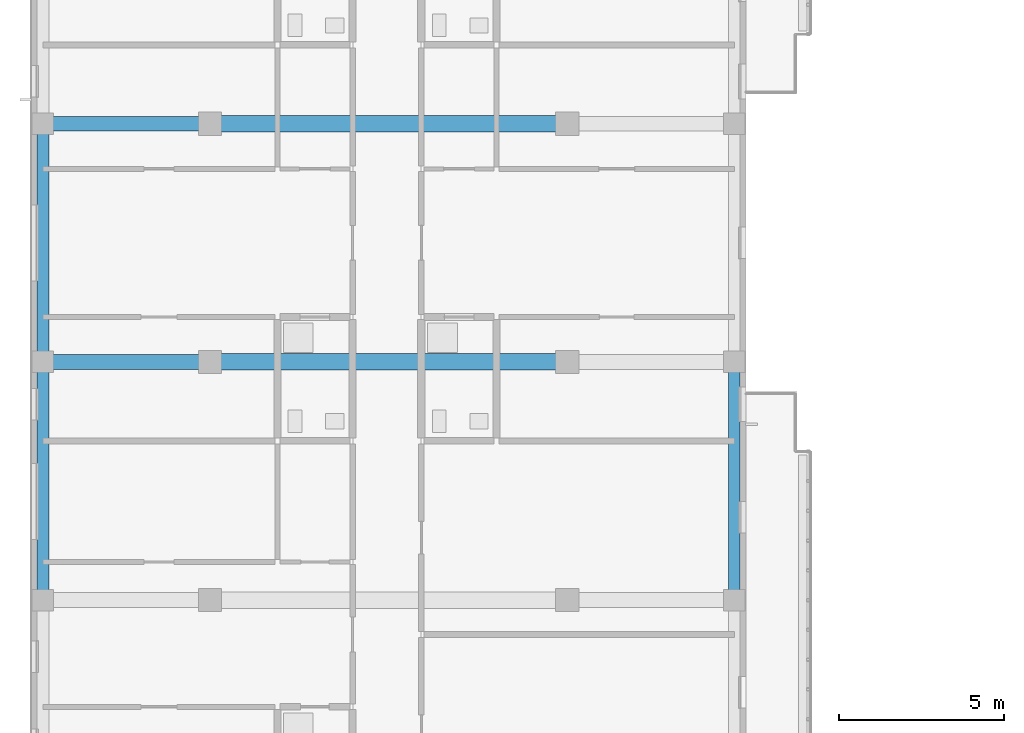
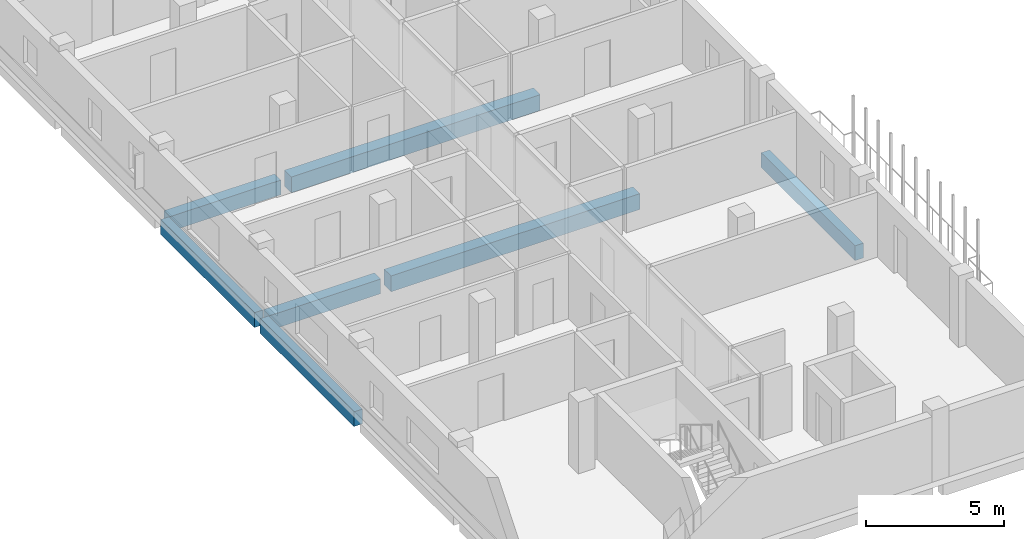
# One storey, part 3 of 51: 7 beams.
"""IFC4 building model written with IfcOpenShell, lengths in metres."""

from ifc_helpers import new_model, si_unit, derived_unit, direction, frame, origin, origin_2d, place, context, subcontext, project, spatial, rectangle, extrude, material, material_profile, profile_set, type_object, element, save


model = new_model("IFC4")

# Units and contexts
model_context = context("Model", 3, precision=1e-05, world=origin(), true_north=direction((0.0, 1.0)))
body_context = subcontext(model_context, "Body", "Model", "MODEL_VIEW")
ifc_project = project(units=[si_unit("LENGTHUNIT", "METRE"), si_unit("AREAUNIT", "SQUARE_METRE"), si_unit("VOLUMEUNIT", "CUBIC_METRE"), si_unit("PLANEANGLEUNIT", "RADIAN"), si_unit("MASSUNIT", "GRAM", prefix="KILO"), derived_unit("THERMALTRANSMITTANCEUNIT", [(si_unit("MASSUNIT", "GRAM", prefix="KILO"), 1), (si_unit("TIMEUNIT", "SECOND"), -3), (si_unit("THERMODYNAMICTEMPERATUREUNIT", "KELVIN"), -1)])], contexts=[model_context])

# Site, building, storey
site_placement = place(None, origin())
site = spatial("IfcSite", under=ifc_project, at=site_placement, CompositionType="ELEMENT")
building_placement = place(site_placement, origin())
building = spatial("IfcBuilding", under=site, at=building_placement, Name="Ochrekiln Boulevard Commons", CompositionType="ELEMENT")
storey_placement = place(building_placement, frame((0.0, 0.0, 18.375)))
storey = spatial("IfcBuildingStorey", under=building, at=storey_placement, Name="L05", CompositionType="ELEMENT", Elevation=18.375)

# Beams
ifc_material_1 = material(Name="Concrete C35/45", Category="concrete")
ifc_material_profile_1 = material_profile(ifc_material_1, rectangle(XDim=0.449951171875, YDim=0.64990234375, at=origin_2d()), Name="RC-BM-450x650")
ifc_profile_set_1 = profile_set([ifc_material_profile_1], Name="Concrete C35/45")
beam_type_1 = type_object("IfcBeamType", Name="BM-RC-450x650", PredefinedType="BEAM", material=ifc_profile_set_1)
for number, where, z_axis, x_axis, name in (
    (1, (0.56005859375, 21.60009765625, -0.5849609375), (1.0, 0.0, 0.0), (0.0, 1.0, 0.0), "Block D L05 Beam B-4565 X9"),
    (2, (0.56005859375, 28.800048828125, -0.5849609375), (1.0, 0.0, 0.0), (0.0, 1.0, 0.0), "Block D L05 Beam B-4565 X12"),
):
    element("IfcBeam", number, at=place(storey_placement, frame(where, z_axis=z_axis, x_axis=x_axis)), inside=storey, type_object=beam_type_1, Name=name, PredefinedType="BEAM", context=body_context, shape_type="SweptSolid", body=[
        extrude(rectangle(XDim=0.449951171875, YDim=0.64990234375, at=origin_2d()), origin(), (0.0, 0.0, 1.0), 4.6298828125),
    ])
ifc_material_2 = material(Name="Concrete C40/50", Category="concrete")
ifc_material_profile_2 = material_profile(ifc_material_2, rectangle(XDim=0.5, YDim=0.699951171875, at=origin_2d()), Name="RC-BM-500x700")
ifc_profile_set_2 = profile_set([ifc_material_profile_2], Name="Concrete C40/50")
beam_type_2 = type_object("IfcBeamType", Name="BM-RC-500x700", PredefinedType="BEAM", material=ifc_profile_set_2)
for number, where, z_axis, x_axis, name in (
    (3, (5.610107421875, 21.60009765625, -0.610107421875), (1.0, 0.0, 0.0), (0.0, 1.0, 0.0), "Block D L05 Beam B-5070 X10"),
    (4, (5.610107421875, 28.800048828125, -0.610107421875), (1.0, 0.0, 0.0), (0.0, 1.0, 0.0), "Block D L05 Beam B-5070 X13"),
):
    element("IfcBeam", number, at=place(storey_placement, frame(where, z_axis=z_axis, x_axis=x_axis)), inside=storey, type_object=beam_type_2, Name=name, PredefinedType="BEAM", context=body_context, shape_type="SweptSolid", body=[
        extrude(rectangle(XDim=0.5, YDim=0.699951171875, at=origin_2d()), origin(), (0.0, 0.0, 1.0), 10.3798828125),
    ])
ifc_material_profile_3 = material_profile(ifc_material_2, rectangle(XDim=0.35009765625, YDim=0.64990234375, at=origin_2d()), Name="RC-SPN-350x650")
ifc_profile_set_3 = profile_set([ifc_material_profile_3], Name="Concrete C40/50")
beam_type_3 = type_object("IfcBeamType", Name="SPN-RC-350x650", PredefinedType="SPANDREL", material=ifc_profile_set_3)
beam_1_placement = place(storey_placement, frame((0.35009765625, 14.610107421875, -0.5849609375), z_axis=(0.0, 1.0, 0.0), x_axis=(-1.0, 0.0, 0.0)))
element("IfcBeam", 5, at=beam_1_placement, inside=storey, type_object=beam_type_3, Name="Block D L05 Beam SP-3565 Y25", PredefinedType="SPANDREL", context=body_context, shape_type="SweptSolid", body=[
    extrude(rectangle(XDim=0.35009765625, YDim=0.64990234375, at=origin_2d()), origin(), (0.0, 0.0, 1.0), 6.77978515625),
])
beam_2_placement = place(storey_placement, frame((0.35009765625, 21.81005859375, -0.5849609375), z_axis=(0.0, 1.0, 0.0), x_axis=(-1.0, 0.0, 0.0)))
element("IfcBeam", 6, at=beam_2_placement, inside=storey, type_object=beam_type_3, Name="Block D L05 Beam SP-3565 Y26", PredefinedType="SPANDREL", context=body_context, shape_type="SweptSolid", body=[
    extrude(rectangle(XDim=0.35009765625, YDim=0.64990234375, at=origin_2d()), origin(), (0.0, 0.0, 1.0), 6.780029296875),
])
beam_3_placement = place(storey_placement, frame((21.25, 14.610107421875, -0.5849609375), z_axis=(0.0, 1.0, 0.0), x_axis=(-1.0, 0.0, 0.0)))
element("IfcBeam", 7, at=beam_3_placement, inside=storey, type_object=beam_type_3, Name="Block D L05 Beam SP-3565 Y32", PredefinedType="SPANDREL", context=body_context, shape_type="SweptSolid", body=[
    extrude(rectangle(XDim=0.35009765625, YDim=0.64990234375, at=origin_2d()), origin(), (0.0, 0.0, 1.0), 6.77978515625),
])

save(model, "model.ifc")
